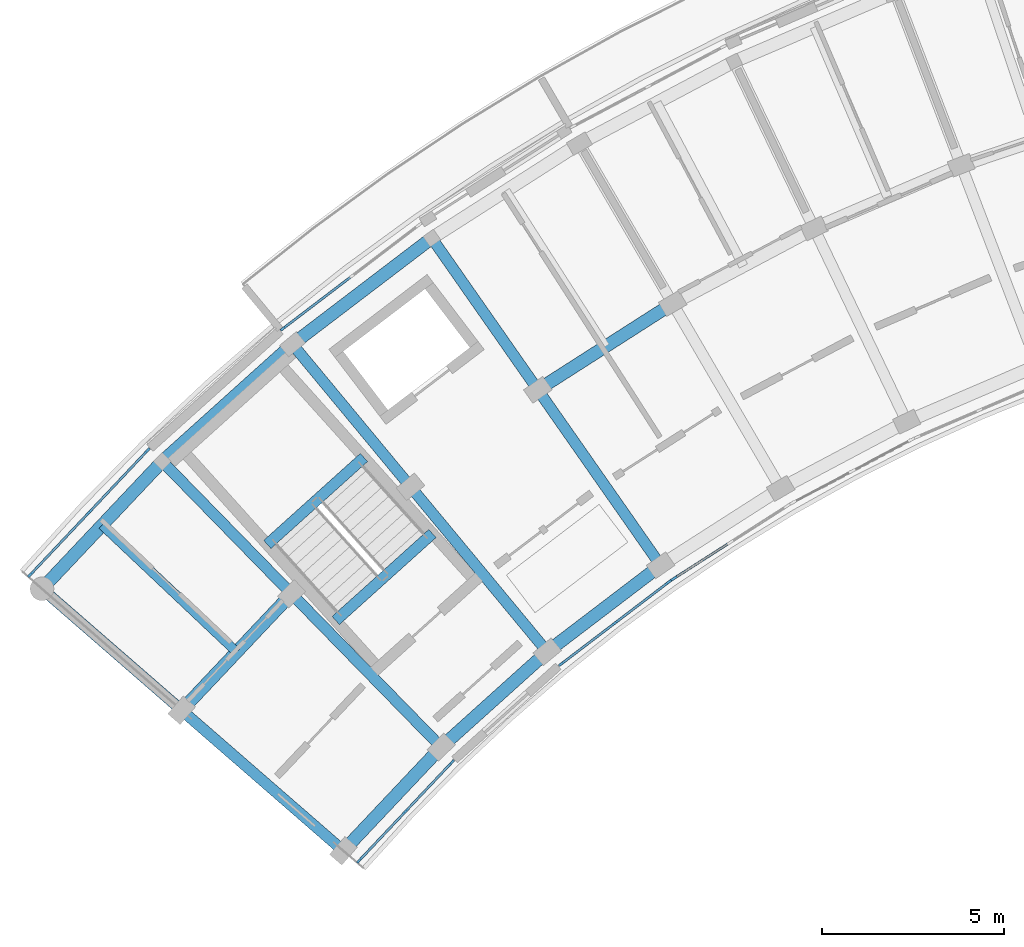
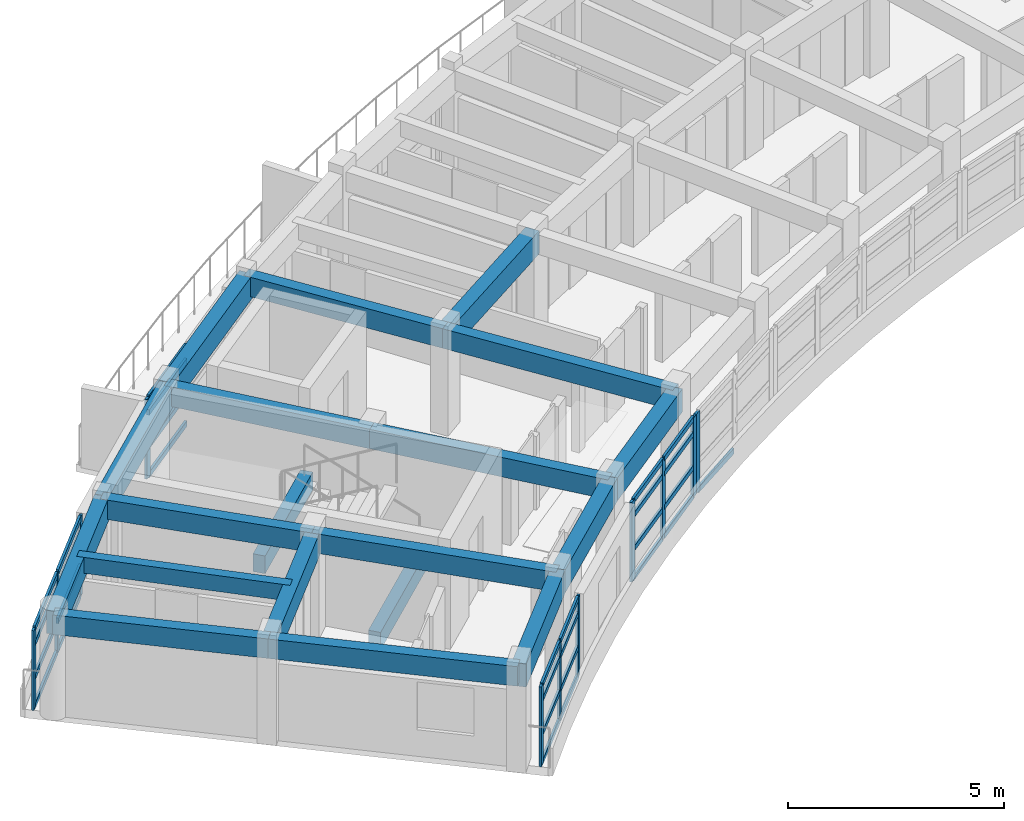
# One storey, part 7 of 20: 40 members, 19 beams, 5 elements without a shape of their own.
"""IFC4 building model written with IfcOpenShell, lengths in metres."""

import ifcopenshell
import ifcopenshell.guid

model = None  # the IFC model being written
_history = None  # IfcOwnerHistory: only IFC2X3 demands one
_inside = {}  # id of a spatial element -> (the spatial element, [elements in it])
_under = {}  # id of a project, library or spatial element -> (it, [spatial elements below it])
_declared = {}  # id of a project -> (the project, [libraries it declares])
_typed = {}  # id of a type object -> (the type object, [elements of that type])
_made_of = {}  # id of a material, layer set ... -> (it, [elements and type objects made of it])


def new_model(schema):
    """Start an empty IFC model of exactly this schema.

    Asked for "IFC4X3", IfcOpenShell would pick the latest addendum, in which some entities
    have other attributes; the version numbers below select the first issue.
    IFC2X3 requires an IfcOwnerHistory on every rooted entity: one is made here for all.
    """
    global model, _history
    if schema == "IFC4X3":
        model = ifcopenshell.file(schema_version=(4, 3, 0, 0))
    else:
        model = ifcopenshell.file(schema=schema)
    _inside.clear()
    _under.clear()
    _declared.clear()
    _typed.clear()
    _made_of.clear()
    _history = None
    if model.schema == "IFC2X3":
        org = make("IfcOrganization", Name="unknown")
        user = make(
            "IfcPersonAndOrganization",
            ThePerson=make("IfcPerson", FamilyName="unknown"),
            TheOrganization=org,
        )
        app = make(
            "IfcApplication",
            ApplicationDeveloper=org,
            Version="unknown",
            ApplicationFullName="unknown",
            ApplicationIdentifier="unknown",
        )
        _history = make(
            "IfcOwnerHistory",
            OwningUser=user,
            OwningApplication=app,
            ChangeAction="ADDED",
            CreationDate=0,
        )
    return model


def make(cls, **values):
    """One entity of the class cls with the attributes given. An attribute that is None is left unset."""
    return model.create_entity(
        cls, **{name: value for name, value in values.items() if value is not None}
    )


def rooted(cls, **values):
    """An entity with a GlobalId (a new one), such as an element, a storey or a relation."""
    return make(cls, GlobalId=ifcopenshell.guid.new(), OwnerHistory=_history, **values)


def si_unit(unit_type, name, prefix=None):
    """IfcSIUnit, for example si_unit("LENGTHUNIT", "METRE", prefix="MILLI")."""
    return make("IfcSIUnit", UnitType=unit_type, Prefix=prefix, Name=name)


def assignment(units):
    """IfcUnitAssignment: the units of a project."""
    return None if units is None else make("IfcUnitAssignment", Units=units)


def point(xyz):
    """IfcCartesianPoint."""
    return None if xyz is None else make("IfcCartesianPoint", Coordinates=xyz)


def direction(xyz):
    """IfcDirection."""
    return None if xyz is None else make("IfcDirection", DirectionRatios=xyz)


def frame(location, z_axis=None, x_axis=None):
    """IfcAxis2Placement3D, a coordinate frame: its origin and axes. An axis left out is left unset."""
    return make(
        "IfcAxis2Placement3D",
        Location=point(location),
        Axis=direction(z_axis),
        RefDirection=direction(x_axis),
    )


def frame_2d(location, x_axis=None):
    """IfcAxis2Placement2D, a coordinate frame in the plane: its origin and x axis."""
    return make(
        "IfcAxis2Placement2D", Location=point(location), RefDirection=direction(x_axis)
    )


def origin():
    """The frame at (0, 0, 0) with its axes left unset."""
    return frame((0.0, 0.0, 0.0))


def origin_2d():
    """The frame at (0, 0) in the plane with its x axis left unset."""
    return frame_2d((0.0, 0.0))


def place(relative_to, where):
    """IfcLocalPlacement: puts the frame where relative to a parent placement (None: the world)."""
    return make(
        "IfcLocalPlacement", PlacementRelTo=relative_to, RelativePlacement=where
    )


def context(
    kind, dimensions, precision=None, world=None, true_north=None, identifier=None
):
    """IfcGeometricRepresentationContext, for example the 3D "Model" context."""
    return make(
        "IfcGeometricRepresentationContext",
        ContextIdentifier=identifier,
        ContextType=kind,
        CoordinateSpaceDimension=dimensions,
        Precision=precision,
        WorldCoordinateSystem=world,
        TrueNorth=true_north,
    )


def subcontext(parent, identifier, kind, view, scale=None):
    """IfcGeometricRepresentationSubContext, for example "Body" below "Model"."""
    return make(
        "IfcGeometricRepresentationSubContext",
        ContextIdentifier=identifier,
        ContextType=kind,
        ParentContext=parent,
        TargetScale=scale,
        TargetView=view,
    )


def project(units=None, contexts=None):
    """IfcProject with its units and contexts."""
    return rooted(
        "IfcProject",
        Name="project",
        RepresentationContexts=contexts,
        UnitsInContext=assignment(units),
    )


def spatial(cls, under=None, at=None, **own):
    """A site, building, storey or space (cls), placed at a placement, below another one or the project."""
    s = rooted(cls, ObjectPlacement=at, **own)
    if under is not None:
        _under.setdefault(under.id(), (under, []))[1].append(s)
    return s


def profile(cls, at=None, kind="AREA", **sizes):
    """A parametric profile (cls). Its sizes go by their IFC names, for example OverallWidth=200.0."""
    return make(cls, ProfileType=kind, Position=at, **sizes)


def rectangle(**sizes):
    """IfcRectangleProfileDef."""
    return profile("IfcRectangleProfileDef", **sizes)


def extrude(swept, where, along, depth):
    """IfcExtrudedAreaSolid: the profile swept, set in the frame where, extruded along a direction by depth."""
    return make(
        "IfcExtrudedAreaSolid",
        SweptArea=swept,
        Position=where,
        ExtrudedDirection=direction(along),
        Depth=depth,
    )


def shape(context_of_items, identifier, shape_type, items):
    """IfcShapeRepresentation: the items that make up one representation, for example the "Body"."""
    return make(
        "IfcShapeRepresentation",
        ContextOfItems=context_of_items,
        RepresentationIdentifier=identifier,
        RepresentationType=shape_type,
        Items=items,
    )


def material(Name=None, Category=None):
    """IfcMaterial."""
    return make("IfcMaterial", Name=Name, Category=Category)


def material_profile(
    of_material, cross_section, Name=None, Category=None, Priority=None
):
    """IfcMaterialProfile: a cross section and its material."""
    return make(
        "IfcMaterialProfile",
        Name=Name,
        Material=of_material,
        Profile=cross_section,
        Priority=Priority,
        Category=Category,
    )


def profile_set(profiles, Name=None, composite=None):
    """IfcMaterialProfileSet."""
    return make(
        "IfcMaterialProfileSet",
        Name=Name,
        MaterialProfiles=profiles,
        CompositeProfile=composite,
    )


def made_of(thing, what):
    """Note that an element or type object is made of a material, layer set ...; save() writes the relation."""
    if what is not None:
        _made_of.setdefault(what.id(), (what, []))[1].append(thing)
    return thing


def type_object(cls, material=None, **own):
    """A type object (cls), such as IfcWallType, which elements share."""
    return made_of(rooted(cls, **own), material)


def element(
    cls,
    number,
    at=None,
    inside=None,
    cuts=None,
    type_object=None,
    material=None,
    context=None,
    identifier="Body",
    shape_type=None,
    held_by="IfcProductDefinitionShape",
    body=None,
    shapes=None,
    **own,
):
    """One element of the class cls, such as IfcWall. Its Tag is "e" and its number.

    at: its placement. inside: the storey or other place that contains it. cuts: it is an
    opening in that element (IfcRelVoidsElement). A single representation is given by context,
    identifier, shape_type and body (its items); several are given by shapes. held_by: the class
    of the entity that holds the representations. save() writes the other relations.
    """
    e = rooted(cls, Tag="e%d" % number, ObjectPlacement=at, **own)
    if body is not None:
        shapes = [shape(context, identifier, shape_type, body)]
    if shapes is not None:
        e.Representation = make(held_by, Representations=shapes)
    if inside is not None:
        _inside.setdefault(inside.id(), (inside, []))[1].append(e)
    if cuts is not None:
        rooted(
            "IfcRelVoidsElement", RelatingBuildingElement=cuts, RelatedOpeningElement=e
        )
    if type_object is not None:
        _typed.setdefault(type_object.id(), (type_object, []))[1].append(e)
    return made_of(e, material)


def aggregate(whole, parts):
    """IfcRelAggregates: a whole, such as a stair, and the parts it consists of."""
    return rooted("IfcRelAggregates", RelatingObject=whole, RelatedObjects=parts)


def save(model, path):
    """Write the relations noted so far, then the file.

    IfcRelAggregates (storeys below a building ...), IfcRelContainedInSpatialStructure (elements
    in a storey), IfcRelDefinesByType, IfcRelAssociatesMaterial and IfcRelDeclares: one each for
    every whole, place, type object, material and project.
    """
    for whole, parts in _under.values():
        aggregate(whole, parts)
    for where, things in _inside.values():
        rooted(
            "IfcRelContainedInSpatialStructure",
            RelatedElements=things,
            RelatingStructure=where,
        )
    for kind, things in _typed.values():
        rooted("IfcRelDefinesByType", RelatedObjects=things, RelatingType=kind)
    for what, things in _made_of.values():
        rooted("IfcRelAssociatesMaterial", RelatedObjects=things, RelatingMaterial=what)
    for by, libraries in _declared.values():
        rooted("IfcRelDeclares", RelatingContext=by, RelatedDefinitions=libraries)
    model.write(path)


model = new_model("IFC4")

# Units and contexts
model_context = context("Model", 3, precision=1e-05, world=origin(), true_north=direction((0.0, 1.0)))
body_context = subcontext(model_context, "Body", "Model", "MODEL_VIEW")
ifc_project = project(units=[si_unit("LENGTHUNIT", "METRE"), si_unit("AREAUNIT", "SQUARE_METRE"), si_unit("VOLUMEUNIT", "CUBIC_METRE"), si_unit("PLANEANGLEUNIT", "RADIAN"), si_unit("MASSUNIT", "GRAM", prefix="KILO")], contexts=[model_context])

# Site, building, storey
site_placement = place(None, origin())
site = spatial("IfcSite", under=ifc_project, at=site_placement, CompositionType="ELEMENT")
building_placement = place(site_placement, origin())
building = spatial("IfcBuilding", under=site, at=building_placement, Name="Zimvara Arc Housing Community", CompositionType="ELEMENT")
storey_placement = place(building_placement, frame((0.0, 0.0, 39.10009765625)))
storey = spatial("IfcBuildingStorey", under=building, at=storey_placement, Name="L12", CompositionType="ELEMENT", Elevation=39.10009765625)

# Beams
ifc_material_1 = material(Name="Concrete C40/50", Category="concrete")
ifc_material_profile_1 = material_profile(ifc_material_1, rectangle(XDim=0.25, YDim=0.449951171875, at=origin_2d()), Name="RC 250x450")
ifc_profile_set_1 = profile_set([ifc_material_profile_1], Name="Concrete C40/50")
beam_type_1 = type_object("IfcBeamType", Name="BM-RC-250x450", PredefinedType="JOIST", material=ifc_profile_set_1)
beam_1_placement = place(storey_placement, frame((5.904296875, 81.3935546875, 2.635009765625), z_axis=(-0.727299876429, 0.686319815936, 0.0), x_axis=(-0.686319815936, -0.727299876429, 0.0)))
element("IfcBeam", 1, at=beam_1_placement, inside=storey, type_object=beam_type_1, Name="bm:blkA:L12:joist:b0", PredefinedType="JOIST", context=body_context, shape_type="SweptSolid", body=[
    extrude(rectangle(XDim=0.25, YDim=0.449951171875, at=origin_2d()), origin(), (0.0, 0.0, 1.0), 5.075927734375),
])
ifc_material_2 = material(Name="Concrete C40/50", Category="concrete")
ifc_material_profile_2 = material_profile(ifc_material_2, rectangle(XDim=0.300048828125, YDim=0.5, at=origin_2d()), Name="RC 300x500")
ifc_profile_set_2 = profile_set([ifc_material_profile_2], Name="Concrete C40/50")
beam_type_2 = type_object("IfcBeamType", Name="BM-RC-300x500", PredefinedType="BEAM", material=ifc_profile_set_2)
for number, where, z_axis, x_axis, name in (
    (2, (11.278076171875, 84.64697265625, -0.25), (-0.743362151162, -0.668889162881, 0.0), (0.668889162881, -0.743362151162, 0.0), "bm:stair_trim:ST-A1:L12:near"),
    (3, (9.39990234375, 86.734375, 1.2998046875), (-0.743362151162, -0.668889162881, 0.0), (0.668889162881, -0.743362151162, 0.0), "bm:stair_trim:ST-A1:L12:mid"),
):
    element("IfcBeam", number, at=place(storey_placement, frame(where, z_axis=z_axis, x_axis=x_axis)), inside=storey, type_object=beam_type_2, Name=name, PredefinedType="BEAM", context=body_context, shape_type="SweptSolid", body=[
        extrude(rectangle(XDim=0.300048828125, YDim=0.5, at=origin_2d()), origin(), (0.0, 0.0, 1.0), 3.570068359375),
    ])
ifc_material_3 = material(Name="Concrete C40/50", Category="concrete")
ifc_material_profile_3 = material_profile(ifc_material_3, rectangle(XDim=0.300048828125, YDim=0.550048828125, at=origin_2d()), Name="RC 300x550")
ifc_profile_set_3 = profile_set([ifc_material_profile_3], Name="Concrete C40/50")
beam_type_3 = type_object("IfcBeamType", Name="BM-RC-300x550", PredefinedType="BEAM", material=ifc_profile_set_3)
beam_2_placement = place(storey_placement, frame((8.834228515625, 75.938232421875, 2.5849609375), z_axis=(-0.754692223258, 0.656078995362, 0.0), x_axis=(-0.656078995362, -0.754692223258, 0.0)))
element("IfcBeam", 4, at=beam_2_placement, inside=storey, type_object=beam_type_3, Name="bm:blkA:L12:rad:b0:r12", PredefinedType="BEAM", context=body_context, shape_type="SweptSolid", body=[
    extrude(rectangle(XDim=0.300048828125, YDim=0.550048828125, at=origin_2d()), origin(), (0.0, 0.0, 1.0), 5.8798828125),
])
beam_3_placement = place(storey_placement, frame((4.396728515625, 79.7958984375, 2.5849609375), z_axis=(-0.754716217499, 0.656051393599, 0.0), x_axis=(-0.656051393599, -0.754716217499, 0.0)))
element("IfcBeam", 5, at=beam_3_placement, inside=storey, type_object=beam_type_3, Name="bm:blkA:L12:rad:b0:r23", PredefinedType="BEAM", context=body_context, shape_type="SweptSolid", body=[
    extrude(rectangle(XDim=0.300048828125, YDim=0.550048828125, at=origin_2d()), origin(), (0.0, 0.0, 1.0), 5.080078125),
])
beam_4_placement = place(storey_placement, frame((11.52001953125, 78.784423828125, 2.5849609375), z_axis=(-0.698669844288, 0.715444231707, 0.0), x_axis=(-0.715444231707, -0.698669844288, 0.0)))
element("IfcBeam", 6, at=beam_4_placement, inside=storey, type_object=beam_type_3, Name="bm:blkA:L12:rad:b1:r12", PredefinedType="BEAM", context=body_context, shape_type="SweptSolid", body=[
    extrude(rectangle(XDim=0.300048828125, YDim=0.550048828125, at=origin_2d()), origin(), (0.0, 0.0, 1.0), 5.8798828125),
])
beam_5_placement = place(storey_placement, frame((7.411865234375, 82.9912109375, 2.5849609375), z_axis=(-0.698670885014, 0.71544321538, 0.0), x_axis=(-0.71544321538, -0.698670885014, 0.0)))
element("IfcBeam", 7, at=beam_5_placement, inside=storey, type_object=beam_type_3, Name="bm:blkA:L12:rad:b1:r23", PredefinedType="BEAM", context=body_context, shape_type="SweptSolid", body=[
    extrude(rectangle(XDim=0.300048828125, YDim=0.550048828125, at=origin_2d()), origin(), (0.0, 0.0, 1.0), 5.080078125),
])
beam_6_placement = place(storey_placement, frame((14.428955078125, 81.401611328125, 2.5849609375), z_axis=(-0.637955964415, 0.770072845559, 0.0), x_axis=(-0.770072845559, -0.637955964415, 0.0)))
element("IfcBeam", 8, at=beam_6_placement, inside=storey, type_object=beam_type_3, Name="bm:blkA:L12:rad:b2:r12", PredefinedType="BEAM", context=body_context, shape_type="SweptSolid", body=[
    extrude(rectangle(XDim=0.300048828125, YDim=0.550048828125, at=origin_2d()), origin(), (0.0, 0.0, 1.0), 5.880126953125),
])
beam_7_placement = place(storey_placement, frame((10.677734375, 85.9296875, 2.5849609375), z_axis=(-0.637983669165, 0.77004989311, 0.0), x_axis=(-0.77004989311, -0.637983669165, 0.0)))
element("IfcBeam", 9, at=beam_7_placement, inside=storey, type_object=beam_type_3, Name="bm:blkA:L12:rad:b2:r23", PredefinedType="BEAM", context=body_context, shape_type="SweptSolid", body=[
    extrude(rectangle(XDim=0.300048828125, YDim=0.550048828125, at=origin_2d()), origin(), (0.0, 0.0, 1.0), 5.080078125),
])
beam_8_placement = place(storey_placement, frame((17.541748046875, 83.77294921875, 2.5849609375), z_axis=(-0.573027549978, 0.819536104736, 0.0), x_axis=(-0.819536104736, -0.573027549978, 0.0)))
element("IfcBeam", 10, at=beam_8_placement, inside=storey, type_object=beam_type_3, Name="bm:blkA:L12:rad:b3:r12", PredefinedType="BEAM", context=body_context, shape_type="SweptSolid", body=[
    extrude(rectangle(XDim=0.300048828125, YDim=0.550048828125, at=origin_2d()), origin(), (0.0, 0.0, 1.0), 5.8798828125),
])
beam_9_placement = place(storey_placement, frame((14.17236328125, 88.591796875, 2.5849609375), z_axis=(-0.573007469479, 0.819550144848, 0.0), x_axis=(-0.819550144848, -0.573007469479, 0.0)))
element("IfcBeam", 11, at=beam_9_placement, inside=storey, type_object=beam_type_3, Name="bm:blkA:L12:rad:b3:r23", PredefinedType="BEAM", context=body_context, shape_type="SweptSolid", body=[
    extrude(rectangle(XDim=0.300048828125, YDim=0.550048828125, at=origin_2d()), origin(), (0.0, 0.0, 1.0), 5.080078125),
])
ifc_material_4 = material(Name="Concrete C40/50", Category="concrete")
ifc_material_profile_4 = material_profile(ifc_material_4, rectangle(XDim=0.35009765625, YDim=0.64990234375, at=origin_2d()), Name="RC 350x650")
ifc_profile_set_4 = profile_set([ifc_material_profile_4], Name="Concrete C40/50")
beam_type_4 = type_object("IfcBeamType", Name="BM-RC-350x650", PredefinedType="BEAM", material=ifc_profile_set_4)
beam_10_placement = place(storey_placement, frame((8.834228515625, 75.938232421875, 2.534912109375), z_axis=(0.686315710793, 0.727303750243, 0.0), x_axis=(-0.727303750243, 0.686315710793, 0.0)))
element("IfcBeam", 12, at=beam_10_placement, inside=storey, type_object=beam_type_4, Name="bm:blkA:L12:chord:r1:b0", PredefinedType="BEAM", context=body_context, shape_type="SweptSolid", body=[
    extrude(rectangle(XDim=0.35009765625, YDim=0.64990234375, at=origin_2d()), origin(), (0.0, 0.0, 1.0), 3.913330078125),
])
for number, where, z_axis, x_axis, name in (
    (13, (11.52001953125, 78.784423828125, 2.534912109375), (0.743402719516, 0.668844074965, 0.0), (-0.668844074965, 0.743402719516, 0.0), "bm:blkA:L12:chord:r1:b1"),
    (14, (14.428955078125, 81.401611328125, 2.534912109375), (0.795470387579, 0.605992460749, 0.0), (-0.605992460749, 0.795470387579, 0.0), "bm:blkA:L12:chord:r1:b2"),
):
    element("IfcBeam", number, at=place(storey_placement, frame(where, z_axis=z_axis, x_axis=x_axis)), inside=storey, type_object=beam_type_4, Name=name, PredefinedType="BEAM", context=body_context, shape_type="SweptSolid", body=[
        extrude(rectangle(XDim=0.35009765625, YDim=0.64990234375, at=origin_2d()), origin(), (0.0, 0.0, 1.0), 3.9130859375),
    ])
for number, where, z_axis, x_axis, name in (
    (15, (4.396728515625, 79.7958984375, 2.534912109375), (0.686303637813, 0.727315142648, 0.0), (-0.727315142648, 0.686303637813, 0.0), "bm:blkA:L12:chord:r2:b0"),
    (16, (14.17236328125, 88.591796875, 2.534912109375), (0.842242131326, 0.539099427025, 0.0), (-0.539099427025, 0.842242131326, 0.0), "bm:blkA:L12:chord:r2:b3"),
):
    element("IfcBeam", number, at=place(storey_placement, frame(where, z_axis=z_axis, x_axis=x_axis)), inside=storey, type_object=beam_type_4, Name=name, PredefinedType="BEAM", context=body_context, shape_type="SweptSolid", body=[
        extrude(rectangle(XDim=0.35009765625, YDim=0.64990234375, at=origin_2d()), origin(), (0.0, 0.0, 1.0), 4.393310546875),
    ])
beam_11_placement = place(storey_placement, frame((0.562744140625, 83.128662109375, 2.534912109375), z_axis=(0.6862954451, 0.727322873307, 0.0), x_axis=(-0.727322873307, 0.6862954451, 0.0)))
element("IfcBeam", 17, at=beam_11_placement, inside=storey, type_object=beam_type_4, Name="bm:blkA:L12:chord:r3:b0", PredefinedType="BEAM", context=body_context, shape_type="SweptSolid", body=[
    extrude(rectangle(XDim=0.35009765625, YDim=0.64990234375, at=origin_2d()), origin(), (0.0, 0.0, 1.0), 4.80810546875),
])
beam_12_placement = place(storey_placement, frame((3.862548828125, 86.625732421875, 2.534912109375), z_axis=(0.743395133402, 0.668852506637, 0.0), x_axis=(-0.668852506637, 0.743395133402, 0.0)))
element("IfcBeam", 18, at=beam_12_placement, inside=storey, type_object=beam_type_4, Name="bm:blkA:L12:chord:r3:b1", PredefinedType="BEAM", context=body_context, shape_type="SweptSolid", body=[
    extrude(rectangle(XDim=0.35009765625, YDim=0.64990234375, at=origin_2d()), origin(), (0.0, 0.0, 1.0), 4.807861328125),
])
beam_13_placement = place(storey_placement, frame((7.436767578125, 89.841552734375, 2.534912109375), z_axis=(0.795480673672, 0.605978958228, 0.0), x_axis=(-0.605978958228, 0.795480673672, 0.0)))
element("IfcBeam", 19, at=beam_13_placement, inside=storey, type_object=beam_type_4, Name="bm:blkA:L12:chord:r3:b2", PredefinedType="BEAM", context=body_context, shape_type="SweptSolid", body=[
    extrude(rectangle(XDim=0.35009765625, YDim=0.64990234375, at=origin_2d()), origin(), (0.0, 0.0, 1.0), 4.80810546875),
])

# Curtain wall, members
ifc_material_5 = material(Name="Anodised Aluminium AW-6063", Category="aluminium")
curtain_wall_type_1 = type_object("IfcCurtainWallType", Name="CW-SYS-04", PredefinedType="USERDEFINED", material=ifc_material_5)
curtain_wall_1_placement = place(storey_placement, origin())
curtain_wall_1 = element("IfcCurtainWall", 20, at=curtain_wall_1_placement, inside=storey, type_object=curtain_wall_type_1, Name="cw:blkA:L12:in:b0", ObjectType="CURTAIN WALL", PredefinedType="USERDEFINED")
ifc_material_6 = material(Name="Anodised Aluminium AW-6063", Category="aluminium")
ifc_material_profile_5 = material_profile(ifc_material_6, rectangle(XDim=0.06494140625, YDim=0.179931640625, at=origin_2d()), Name="ALU 65x180")
ifc_profile_set_5 = profile_set([ifc_material_profile_5], Name="Anodised Aluminium AW-6063")
member_type_1 = type_object("IfcMemberType", Name="CWM-65x150", PredefinedType="MULLION", material=ifc_profile_set_5)
member_1_placement = place(storey_placement, frame((9.275146484375, 75.677490234375, 0.0), z_axis=(0.0, 0.0, 1.0), x_axis=(-0.727293723669, 0.686326336018, 0.0)))
member_1 = element("IfcMember", 21, at=member_1_placement, type_object=member_type_1, Name="CW04 mullion 1", PredefinedType="MULLION", context=body_context, shape_type="SweptSolid", body=[
    extrude(rectangle(XDim=0.06494140625, YDim=0.179931640625, at=origin_2d()), origin(), (0.0, 0.0, 1.0), 2.25),
])
member_2_placement = place(storey_placement, frame((10.54052734375, 77.0185546875, 0.0), z_axis=(0.0, 0.0, 1.0), x_axis=(-0.727293723669, 0.686326336018, 0.0)))
member_2 = element("IfcMember", 22, at=member_2_placement, type_object=member_type_1, Name="CW04 mullion 2", PredefinedType="MULLION", context=body_context, shape_type="SweptSolid", body=[
    extrude(rectangle(XDim=0.06494140625, YDim=0.179931640625, at=origin_2d()), origin(), (0.0, 0.0, 1.0), 2.25),
])
member_3_placement = place(storey_placement, frame((11.805908203125, 78.359375, 0.0), z_axis=(0.0, 0.0, 1.0), x_axis=(-0.727293723669, 0.686326336018, 0.0)))
member_3 = element("IfcMember", 23, at=member_3_placement, type_object=member_type_1, Name="CW04 mullion 3", PredefinedType="MULLION", context=body_context, shape_type="SweptSolid", body=[
    extrude(rectangle(XDim=0.06494140625, YDim=0.179931640625, at=origin_2d()), origin(), (0.0, 0.0, 1.0), 2.25),
])

ifc_material_7 = material(Name="Anodised Aluminium AW-6063", Category="aluminium")
curtain_wall_type_2 = type_object("IfcCurtainWallType", Name="CW-SYS-06", PredefinedType="USERDEFINED", material=ifc_material_7)
curtain_wall_2_placement = place(storey_placement, origin())
curtain_wall_2 = element("IfcCurtainWall", 24, at=curtain_wall_2_placement, inside=storey, type_object=curtain_wall_type_2, Name="cw:blkA:L12:in:b2", ObjectType="CURTAIN WALL", PredefinedType="USERDEFINED")
member_4_placement = place(storey_placement, frame((14.821533203125, 81.07275390625, 0.0), z_axis=(0.0, 0.0, 1.0), x_axis=(-0.605987809503, 0.795473930895, 0.0)))
member_4 = element("IfcMember", 25, at=member_4_placement, type_object=member_type_1, Name="CW06 mullion 1", PredefinedType="MULLION", context=body_context, shape_type="SweptSolid", body=[
    extrude(rectangle(XDim=0.06494140625, YDim=0.179931640625, at=origin_2d()), origin(), (0.0, 0.0, 1.0), 2.25),
])
member_5_placement = place(storey_placement, frame((16.2880859375, 82.18994140625, 0.0), z_axis=(0.0, 0.0, 1.0), x_axis=(-0.605987809503, 0.795473930895, 0.0)))
member_5 = element("IfcMember", 26, at=member_5_placement, type_object=member_type_1, Name="CW06 mullion 2", PredefinedType="MULLION", context=body_context, shape_type="SweptSolid", body=[
    extrude(rectangle(XDim=0.06494140625, YDim=0.179931640625, at=origin_2d()), origin(), (0.0, 0.0, 1.0), 2.25),
])
member_6_placement = place(storey_placement, frame((17.754638671875, 83.30712890625, 0.0), z_axis=(0.0, 0.0, 1.0), x_axis=(-0.605987809503, 0.795473930895, 0.0)))
member_6 = element("IfcMember", 27, at=member_6_placement, type_object=member_type_1, Name="CW06 mullion 3", PredefinedType="MULLION", context=body_context, shape_type="SweptSolid", body=[
    extrude(rectangle(XDim=0.06494140625, YDim=0.179931640625, at=origin_2d()), origin(), (0.0, 0.0, 1.0), 2.25),
])

ifc_material_8 = material(Name="Anodised Aluminium AW-6063", Category="aluminium")
curtain_wall_type_3 = type_object("IfcCurtainWallType", Name="CW-SYS-03", PredefinedType="USERDEFINED", material=ifc_material_8)
curtain_wall_3_placement = place(storey_placement, origin())
curtain_wall_3 = element("IfcCurtainWall", 28, at=curtain_wall_3_placement, inside=storey, type_object=curtain_wall_type_3, Name="cw:blkA:L12:out:b0", ObjectType="CURTAIN WALL", PredefinedType="USERDEFINED")
ifc_material_9 = material(Name="Anodised Aluminium AW-6063", Category="aluminium")
ifc_material_profile_6 = material_profile(ifc_material_9, rectangle(XDim=0.06494140625, YDim=0.195068359375, at=origin_2d()), Name="ALU 65x195")
ifc_profile_set_6 = profile_set([ifc_material_profile_6], Name="Anodised Aluminium AW-6063")
member_type_2 = type_object("IfcMemberType", Name="CWM-65x180", PredefinedType="MULLION", material=ifc_profile_set_6)
member_7_placement = place(storey_placement, frame((0.248779296875, 83.524169921875, 0.0), z_axis=(0.0, 0.0, 1.0), x_axis=(-0.727293647725, 0.686326416495, 0.0)))
member_7 = element("IfcMember", 29, at=member_7_placement, type_object=member_type_2, Name="CW03 mullion 1", PredefinedType="MULLION", context=body_context, shape_type="SweptSolid", body=[
    extrude(rectangle(XDim=0.06494140625, YDim=0.195068359375, at=origin_2d()), origin(), (0.0, 0.0, 1.0), 2.25),
])
member_8_placement = place(storey_placement, frame((1.849365234375, 85.219970703125, 0.0), z_axis=(0.0, 0.0, 1.0), x_axis=(-0.727293647725, 0.686326416495, 0.0)))
member_8 = element("IfcMember", 30, at=member_8_placement, type_object=member_type_2, Name="CW03 mullion 2", PredefinedType="MULLION", context=body_context, shape_type="SweptSolid", body=[
    extrude(rectangle(XDim=0.06494140625, YDim=0.195068359375, at=origin_2d()), origin(), (0.0, 0.0, 1.0), 2.25),
])
member_9_placement = place(storey_placement, frame((3.44970703125, 86.916015625, 0.0), z_axis=(0.0, 0.0, 1.0), x_axis=(-0.727293647725, 0.686326416495, 0.0)))
member_9 = element("IfcMember", 31, at=member_9_placement, type_object=member_type_2, Name="CW03 mullion 3", PredefinedType="MULLION", context=body_context, shape_type="SweptSolid", body=[
    extrude(rectangle(XDim=0.06494140625, YDim=0.195068359375, at=origin_2d()), origin(), (0.0, 0.0, 1.0), 2.25),
])

# Curtain wall, member
ifc_material_10 = material(Name="Anodised Aluminium AW-6063", Category="aluminium")
curtain_wall_type_4 = type_object("IfcCurtainWallType", Name="CW-SYS-05", PredefinedType="USERDEFINED", material=ifc_material_10)
curtain_wall_4_placement = place(storey_placement, origin())
curtain_wall_4 = element("IfcCurtainWall", 32, at=curtain_wall_4_placement, inside=storey, type_object=curtain_wall_type_4, Name="cw:blkA:L12:out:b2", ObjectType="CURTAIN WALL", PredefinedType="USERDEFINED")
member_10_placement = place(storey_placement, frame((7.19140625, 90.28271484375, 0.0), z_axis=(0.0, 0.0, 1.0), x_axis=(-0.60598771987, 0.795473999177, 0.0)))
member_10 = element("IfcMember", 33, at=member_10_placement, type_object=member_type_2, Name="CW05 mullion 1", PredefinedType="MULLION", context=body_context, shape_type="SweptSolid", body=[
    extrude(rectangle(XDim=0.06494140625, YDim=0.195068359375, at=origin_2d()), origin(), (0.0, 0.0, 1.0), 2.25),
])

ifc_material_11 = material(Name="Anodised Aluminium AW-6063", Category="aluminium")
curtain_wall_type_5 = type_object("IfcCurtainWallType", Name="CW-SYS-07", PredefinedType="USERDEFINED", material=ifc_material_11)
curtain_wall_5_placement = place(storey_placement, origin())
curtain_wall_5 = element("IfcCurtainWall", 34, at=curtain_wall_5_placement, inside=storey, type_object=curtain_wall_type_5, Name="cw:blkA:L12:in:b3", ObjectType="CURTAIN WALL", PredefinedType="USERDEFINED")
member_11_placement = place(storey_placement, frame((17.906005859375, 83.4130859375, 0.0), z_axis=(0.0, 0.0, 1.0), x_axis=(-0.539065115913, 0.842264092079, 0.0)))
member_11 = element("IfcMember", 35, at=member_11_placement, type_object=member_type_2, Name="CW07 mullion 1", PredefinedType="MULLION", context=body_context, shape_type="SweptSolid", body=[
    extrude(rectangle(XDim=0.06494140625, YDim=0.195068359375, at=origin_2d()), origin(), (0.0, 0.0, 1.0), 2.25),
])

# Member
ifc_material_12 = material(Name="Anodised Aluminium AW-6063", Category="aluminium")
ifc_material_profile_7 = material_profile(ifc_material_12, rectangle(XDim=0.06494140625, YDim=0.139892578125, at=origin_2d()), Name="ALU 65x140")
ifc_profile_set_7 = profile_set([ifc_material_profile_7], Name="Anodised Aluminium AW-6063")
member_type_3 = type_object("IfcMemberType", Name="CWT-65x120", PredefinedType="USERDEFINED", material=ifc_profile_set_7)
member_12_placement = place(storey_placement, frame((9.29736328125, 75.701171875, 0.032470703125), z_axis=(0.686288936403, 0.7273290148, 0.0), x_axis=(-0.7273290148, 0.686288936403, 0.0)))
member_12 = element("IfcMember", 36, at=member_12_placement, type_object=member_type_3, Name="CW04 transom 1.1", ObjectType="TRANSOM", PredefinedType="USERDEFINED", context=body_context, shape_type="SweptSolid", body=[
    extrude(rectangle(XDim=0.06494140625, YDim=0.139892578125, at=origin_2d()), origin(), (0.0, 0.0, 1.0), 1.77880859375),
])

member_13_placement = place(storey_placement, frame((9.29736328125, 75.701171875, 0.849853515625), z_axis=(0.686288936403, 0.7273290148, 0.0), x_axis=(-0.7273290148, 0.686288936403, 0.0)))
member_13 = element("IfcMember", 37, at=member_13_placement, type_object=member_type_3, Name="CW04 transom 1.2", ObjectType="TRANSOM", PredefinedType="USERDEFINED", context=body_context, shape_type="SweptSolid", body=[
    extrude(rectangle(XDim=0.06494140625, YDim=0.139892578125, at=origin_2d()), origin(), (0.0, 0.0, 1.0), 1.77880859375),
])

member_14_placement = place(storey_placement, frame((9.29736328125, 75.701171875, 1.7998046875), z_axis=(0.686288936403, 0.7273290148, 0.0), x_axis=(-0.7273290148, 0.686288936403, 0.0)))
member_14 = element("IfcMember", 38, at=member_14_placement, type_object=member_type_3, Name="CW04 transom 1.3", ObjectType="TRANSOM", PredefinedType="USERDEFINED", context=body_context, shape_type="SweptSolid", body=[
    extrude(rectangle(XDim=0.06494140625, YDim=0.139892578125, at=origin_2d()), origin(), (0.0, 0.0, 1.0), 1.77880859375),
])

member_15_placement = place(storey_placement, frame((9.29736328125, 75.701171875, 2.21728515625), z_axis=(0.686288936403, 0.7273290148, 0.0), x_axis=(-0.7273290148, 0.686288936403, 0.0)))
member_15 = element("IfcMember", 39, at=member_15_placement, type_object=member_type_3, Name="CW04 transom 1.4", ObjectType="TRANSOM", PredefinedType="USERDEFINED", context=body_context, shape_type="SweptSolid", body=[
    extrude(rectangle(XDim=0.06494140625, YDim=0.139892578125, at=origin_2d()), origin(), (0.0, 0.0, 1.0), 1.77880859375),
])

member_16_placement = place(storey_placement, frame((10.562744140625, 77.0419921875, 0.032470703125), z_axis=(0.686288936403, 0.7273290148, 0.0), x_axis=(-0.7273290148, 0.686288936403, 0.0)))
member_16 = element("IfcMember", 40, at=member_16_placement, type_object=member_type_3, Name="CW04 transom 2.1", ObjectType="TRANSOM", PredefinedType="USERDEFINED", context=body_context, shape_type="SweptSolid", body=[
    extrude(rectangle(XDim=0.06494140625, YDim=0.139892578125, at=origin_2d()), origin(), (0.0, 0.0, 1.0), 1.77880859375),
])

member_17_placement = place(storey_placement, frame((10.562744140625, 77.0419921875, 0.849853515625), z_axis=(0.686288936403, 0.7273290148, 0.0), x_axis=(-0.7273290148, 0.686288936403, 0.0)))
member_17 = element("IfcMember", 41, at=member_17_placement, type_object=member_type_3, Name="CW04 transom 2.2", ObjectType="TRANSOM", PredefinedType="USERDEFINED", context=body_context, shape_type="SweptSolid", body=[
    extrude(rectangle(XDim=0.06494140625, YDim=0.139892578125, at=origin_2d()), origin(), (0.0, 0.0, 1.0), 1.77880859375),
])

member_18_placement = place(storey_placement, frame((10.562744140625, 77.0419921875, 1.7998046875), z_axis=(0.686288936403, 0.7273290148, 0.0), x_axis=(-0.7273290148, 0.686288936403, 0.0)))
member_18 = element("IfcMember", 42, at=member_18_placement, type_object=member_type_3, Name="CW04 transom 2.3", ObjectType="TRANSOM", PredefinedType="USERDEFINED", context=body_context, shape_type="SweptSolid", body=[
    extrude(rectangle(XDim=0.06494140625, YDim=0.139892578125, at=origin_2d()), origin(), (0.0, 0.0, 1.0), 1.77880859375),
])

member_19_placement = place(storey_placement, frame((10.562744140625, 77.0419921875, 2.21728515625), z_axis=(0.686288936403, 0.7273290148, 0.0), x_axis=(-0.7273290148, 0.686288936403, 0.0)))
member_19 = element("IfcMember", 43, at=member_19_placement, type_object=member_type_3, Name="CW04 transom 2.4", ObjectType="TRANSOM", PredefinedType="USERDEFINED", context=body_context, shape_type="SweptSolid", body=[
    extrude(rectangle(XDim=0.06494140625, YDim=0.139892578125, at=origin_2d()), origin(), (0.0, 0.0, 1.0), 1.77880859375),
])

aggregate(curtain_wall_1, [member_1, member_2, member_3, member_12, member_13, member_14, member_15, member_16, member_17, member_18, member_19])

member_20_placement = place(storey_placement, frame((14.84716796875, 81.09228515625, 0.032470703125), z_axis=(0.795497878591, 0.605956372322, 0.0), x_axis=(-0.605956372322, 0.795497878591, 0.0)))
member_20 = element("IfcMember", 44, at=member_20_placement, type_object=member_type_3, Name="CW06 transom 1.1", ObjectType="TRANSOM", PredefinedType="USERDEFINED", context=body_context, shape_type="SweptSolid", body=[
    extrude(rectangle(XDim=0.06494140625, YDim=0.139892578125, at=origin_2d()), origin(), (0.0, 0.0, 1.0), 1.77880859375),
])

member_21_placement = place(storey_placement, frame((14.84716796875, 81.09228515625, 0.849853515625), z_axis=(0.795497878591, 0.605956372322, 0.0), x_axis=(-0.605956372322, 0.795497878591, 0.0)))
member_21 = element("IfcMember", 45, at=member_21_placement, type_object=member_type_3, Name="CW06 transom 1.2", ObjectType="TRANSOM", PredefinedType="USERDEFINED", context=body_context, shape_type="SweptSolid", body=[
    extrude(rectangle(XDim=0.06494140625, YDim=0.139892578125, at=origin_2d()), origin(), (0.0, 0.0, 1.0), 1.77880859375),
])

member_22_placement = place(storey_placement, frame((14.84716796875, 81.09228515625, 1.7998046875), z_axis=(0.795497878591, 0.605956372322, 0.0), x_axis=(-0.605956372322, 0.795497878591, 0.0)))
member_22 = element("IfcMember", 46, at=member_22_placement, type_object=member_type_3, Name="CW06 transom 1.3", ObjectType="TRANSOM", PredefinedType="USERDEFINED", context=body_context, shape_type="SweptSolid", body=[
    extrude(rectangle(XDim=0.06494140625, YDim=0.139892578125, at=origin_2d()), origin(), (0.0, 0.0, 1.0), 1.77880859375),
])

member_23_placement = place(storey_placement, frame((14.84716796875, 81.09228515625, 2.21728515625), z_axis=(0.795497878591, 0.605956372322, 0.0), x_axis=(-0.605956372322, 0.795497878591, 0.0)))
member_23 = element("IfcMember", 47, at=member_23_placement, type_object=member_type_3, Name="CW06 transom 1.4", ObjectType="TRANSOM", PredefinedType="USERDEFINED", context=body_context, shape_type="SweptSolid", body=[
    extrude(rectangle(XDim=0.06494140625, YDim=0.139892578125, at=origin_2d()), origin(), (0.0, 0.0, 1.0), 1.77880859375),
])

member_24_placement = place(storey_placement, frame((16.31396484375, 82.20947265625, 0.032470703125), z_axis=(0.79544747465, 0.60602253677, 0.0), x_axis=(-0.60602253677, 0.79544747465, 0.0)))
member_24 = element("IfcMember", 48, at=member_24_placement, type_object=member_type_3, Name="CW06 transom 2.1", ObjectType="TRANSOM", PredefinedType="USERDEFINED", context=body_context, shape_type="SweptSolid", body=[
    extrude(rectangle(XDim=0.06494140625, YDim=0.139892578125, at=origin_2d()), origin(), (0.0, 0.0, 1.0), 1.778564453125),
])

member_25_placement = place(storey_placement, frame((16.31396484375, 82.20947265625, 0.849853515625), z_axis=(0.79544747465, 0.60602253677, 0.0), x_axis=(-0.60602253677, 0.79544747465, 0.0)))
member_25 = element("IfcMember", 49, at=member_25_placement, type_object=member_type_3, Name="CW06 transom 2.2", ObjectType="TRANSOM", PredefinedType="USERDEFINED", context=body_context, shape_type="SweptSolid", body=[
    extrude(rectangle(XDim=0.06494140625, YDim=0.139892578125, at=origin_2d()), origin(), (0.0, 0.0, 1.0), 1.778564453125),
])

member_26_placement = place(storey_placement, frame((16.31396484375, 82.20947265625, 1.7998046875), z_axis=(0.79544747465, 0.60602253677, 0.0), x_axis=(-0.60602253677, 0.79544747465, 0.0)))
member_26 = element("IfcMember", 50, at=member_26_placement, type_object=member_type_3, Name="CW06 transom 2.3", ObjectType="TRANSOM", PredefinedType="USERDEFINED", context=body_context, shape_type="SweptSolid", body=[
    extrude(rectangle(XDim=0.06494140625, YDim=0.139892578125, at=origin_2d()), origin(), (0.0, 0.0, 1.0), 1.778564453125),
])

member_27_placement = place(storey_placement, frame((16.31396484375, 82.20947265625, 2.21728515625), z_axis=(0.79544747465, 0.60602253677, 0.0), x_axis=(-0.60602253677, 0.79544747465, 0.0)))
member_27 = element("IfcMember", 51, at=member_27_placement, type_object=member_type_3, Name="CW06 transom 2.4", ObjectType="TRANSOM", PredefinedType="USERDEFINED", context=body_context, shape_type="SweptSolid", body=[
    extrude(rectangle(XDim=0.06494140625, YDim=0.139892578125, at=origin_2d()), origin(), (0.0, 0.0, 1.0), 1.778564453125),
])

aggregate(curtain_wall_2, [member_4, member_5, member_6, member_20, member_21, member_22, member_23, member_24, member_25, member_26, member_27])

ifc_material_13 = material(Name="Anodised Aluminium AW-6063", Category="aluminium")
ifc_material_profile_8 = material_profile(ifc_material_13, rectangle(XDim=0.06494140625, YDim=0.155029296875, at=origin_2d()), Name="ALU 65x155")
ifc_profile_set_8 = profile_set([ifc_material_profile_8], Name="Anodised Aluminium AW-6063")
member_type_4 = type_object("IfcMemberType", Name="CWT-65x140", PredefinedType="USERDEFINED", material=ifc_profile_set_8)
member_28_placement = place(storey_placement, frame((0.271240234375, 83.547607421875, 0.032470703125), z_axis=(0.68623762882, 0.727377423894, 0.0), x_axis=(-0.727377423894, 0.68623762882, 0.0)))
member_28 = element("IfcMember", 52, at=member_28_placement, type_object=member_type_4, Name="CW03 transom 1.1", ObjectType="TRANSOM", PredefinedType="USERDEFINED", context=body_context, shape_type="SweptSolid", body=[
    extrude(rectangle(XDim=0.06494140625, YDim=0.155029296875, at=origin_2d()), origin(), (0.0, 0.0, 1.0), 2.266845703125),
])

member_29_placement = place(storey_placement, frame((0.271240234375, 83.547607421875, 0.849853515625), z_axis=(0.68623762882, 0.727377423894, 0.0), x_axis=(-0.727377423894, 0.68623762882, 0.0)))
member_29 = element("IfcMember", 53, at=member_29_placement, type_object=member_type_4, Name="CW03 transom 1.2", ObjectType="TRANSOM", PredefinedType="USERDEFINED", context=body_context, shape_type="SweptSolid", body=[
    extrude(rectangle(XDim=0.06494140625, YDim=0.155029296875, at=origin_2d()), origin(), (0.0, 0.0, 1.0), 2.266845703125),
])

member_30_placement = place(storey_placement, frame((0.271240234375, 83.547607421875, 1.7998046875), z_axis=(0.68623762882, 0.727377423894, 0.0), x_axis=(-0.727377423894, 0.68623762882, 0.0)))
member_30 = element("IfcMember", 54, at=member_30_placement, type_object=member_type_4, Name="CW03 transom 1.3", ObjectType="TRANSOM", PredefinedType="USERDEFINED", context=body_context, shape_type="SweptSolid", body=[
    extrude(rectangle(XDim=0.06494140625, YDim=0.155029296875, at=origin_2d()), origin(), (0.0, 0.0, 1.0), 2.266845703125),
])

member_31_placement = place(storey_placement, frame((0.271240234375, 83.547607421875, 2.21728515625), z_axis=(0.68623762882, 0.727377423894, 0.0), x_axis=(-0.727377423894, 0.68623762882, 0.0)))
member_31 = element("IfcMember", 55, at=member_31_placement, type_object=member_type_4, Name="CW03 transom 1.4", ObjectType="TRANSOM", PredefinedType="USERDEFINED", context=body_context, shape_type="SweptSolid", body=[
    extrude(rectangle(XDim=0.06494140625, YDim=0.155029296875, at=origin_2d()), origin(), (0.0, 0.0, 1.0), 2.266845703125),
])

member_32_placement = place(storey_placement, frame((1.87158203125, 85.24365234375, 0.032470703125), z_axis=(0.686348357589, 0.727272941911, 0.0), x_axis=(-0.727272941911, 0.686348357589, 0.0)))
member_32 = element("IfcMember", 56, at=member_32_placement, type_object=member_type_4, Name="CW03 transom 2.1", ObjectType="TRANSOM", PredefinedType="USERDEFINED", context=body_context, shape_type="SweptSolid", body=[
    extrude(rectangle(XDim=0.06494140625, YDim=0.155029296875, at=origin_2d()), origin(), (0.0, 0.0, 1.0), 2.266845703125),
])

member_33_placement = place(storey_placement, frame((1.87158203125, 85.24365234375, 0.849853515625), z_axis=(0.686348357589, 0.727272941911, 0.0), x_axis=(-0.727272941911, 0.686348357589, 0.0)))
member_33 = element("IfcMember", 57, at=member_33_placement, type_object=member_type_4, Name="CW03 transom 2.2", ObjectType="TRANSOM", PredefinedType="USERDEFINED", context=body_context, shape_type="SweptSolid", body=[
    extrude(rectangle(XDim=0.06494140625, YDim=0.155029296875, at=origin_2d()), origin(), (0.0, 0.0, 1.0), 2.266845703125),
])

member_34_placement = place(storey_placement, frame((1.87158203125, 85.24365234375, 1.7998046875), z_axis=(0.686348357589, 0.727272941911, 0.0), x_axis=(-0.727272941911, 0.686348357589, 0.0)))
member_34 = element("IfcMember", 58, at=member_34_placement, type_object=member_type_4, Name="CW03 transom 2.3", ObjectType="TRANSOM", PredefinedType="USERDEFINED", context=body_context, shape_type="SweptSolid", body=[
    extrude(rectangle(XDim=0.06494140625, YDim=0.155029296875, at=origin_2d()), origin(), (0.0, 0.0, 1.0), 2.266845703125),
])

member_35_placement = place(storey_placement, frame((1.87158203125, 85.24365234375, 2.21728515625), z_axis=(0.686348357589, 0.727272941911, 0.0), x_axis=(-0.727272941911, 0.686348357589, 0.0)))
member_35 = element("IfcMember", 59, at=member_35_placement, type_object=member_type_4, Name="CW03 transom 2.4", ObjectType="TRANSOM", PredefinedType="USERDEFINED", context=body_context, shape_type="SweptSolid", body=[
    extrude(rectangle(XDim=0.06494140625, YDim=0.155029296875, at=origin_2d()), origin(), (0.0, 0.0, 1.0), 2.266845703125),
])

aggregate(curtain_wall_3, [member_7, member_8, member_9, member_28, member_29, member_30, member_31, member_32, member_33, member_34, member_35])

member_36_placement = place(storey_placement, frame((7.21728515625, 90.302490234375, 0.032470703125), z_axis=(0.795505886513, 0.605945859399, 0.0), x_axis=(-0.605945859399, 0.795505886513, 0.0)))
member_36 = element("IfcMember", 60, at=member_36_placement, type_object=member_type_4, Name="CW05 transom 1.1", ObjectType="TRANSOM", PredefinedType="USERDEFINED", context=body_context, shape_type="SweptSolid", body=[
    extrude(rectangle(XDim=0.06494140625, YDim=0.155029296875, at=origin_2d()), origin(), (0.0, 0.0, 1.0), 2.266845703125),
])

member_37_placement = place(storey_placement, frame((7.21728515625, 90.302490234375, 0.849853515625), z_axis=(0.795505886513, 0.605945859399, 0.0), x_axis=(-0.605945859399, 0.795505886513, 0.0)))
member_37 = element("IfcMember", 61, at=member_37_placement, type_object=member_type_4, Name="CW05 transom 1.2", ObjectType="TRANSOM", PredefinedType="USERDEFINED", context=body_context, shape_type="SweptSolid", body=[
    extrude(rectangle(XDim=0.06494140625, YDim=0.155029296875, at=origin_2d()), origin(), (0.0, 0.0, 1.0), 2.266845703125),
])

member_38_placement = place(storey_placement, frame((7.21728515625, 90.302490234375, 1.7998046875), z_axis=(0.795505886513, 0.605945859399, 0.0), x_axis=(-0.605945859399, 0.795505886513, 0.0)))
member_38 = element("IfcMember", 62, at=member_38_placement, type_object=member_type_4, Name="CW05 transom 1.3", ObjectType="TRANSOM", PredefinedType="USERDEFINED", context=body_context, shape_type="SweptSolid", body=[
    extrude(rectangle(XDim=0.06494140625, YDim=0.155029296875, at=origin_2d()), origin(), (0.0, 0.0, 1.0), 2.266845703125),
])

member_39_placement = place(storey_placement, frame((7.21728515625, 90.302490234375, 2.21728515625), z_axis=(0.795505886513, 0.605945859399, 0.0), x_axis=(-0.605945859399, 0.795505886513, 0.0)))
member_39 = element("IfcMember", 63, at=member_39_placement, type_object=member_type_4, Name="CW05 transom 1.4", ObjectType="TRANSOM", PredefinedType="USERDEFINED", context=body_context, shape_type="SweptSolid", body=[
    extrude(rectangle(XDim=0.06494140625, YDim=0.155029296875, at=origin_2d()), origin(), (0.0, 0.0, 1.0), 2.266845703125),
])

aggregate(curtain_wall_4, [member_10, member_36, member_37, member_38, member_39])

member_40_placement = place(storey_placement, frame((17.933349609375, 83.4306640625, 0.032470703125), z_axis=(0.842273893594, 0.539049801197, 0.0), x_axis=(-0.539049801197, 0.842273893594, 0.0)))
member_40 = element("IfcMember", 64, at=member_40_placement, type_object=member_type_4, Name="CW07 transom 1.1", ObjectType="TRANSOM", PredefinedType="USERDEFINED", context=body_context, shape_type="SweptSolid", body=[
    extrude(rectangle(XDim=0.06494140625, YDim=0.155029296875, at=origin_2d()), origin(), (0.0, 0.0, 1.0), 1.778564453125),
])

aggregate(curtain_wall_5, [member_11, member_40])

save(model, "model.ifc")
